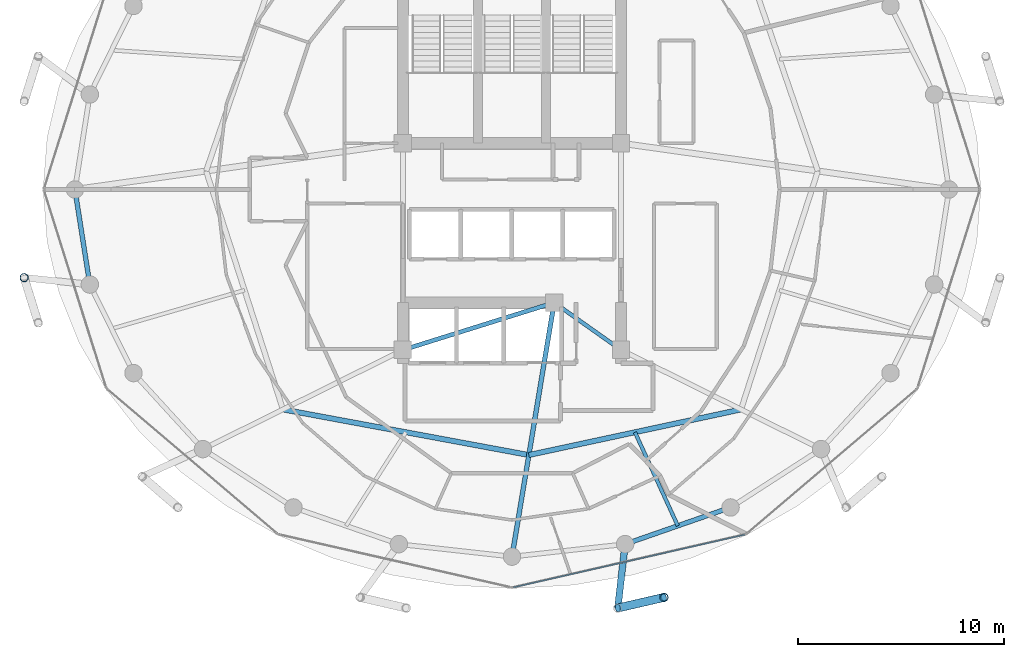
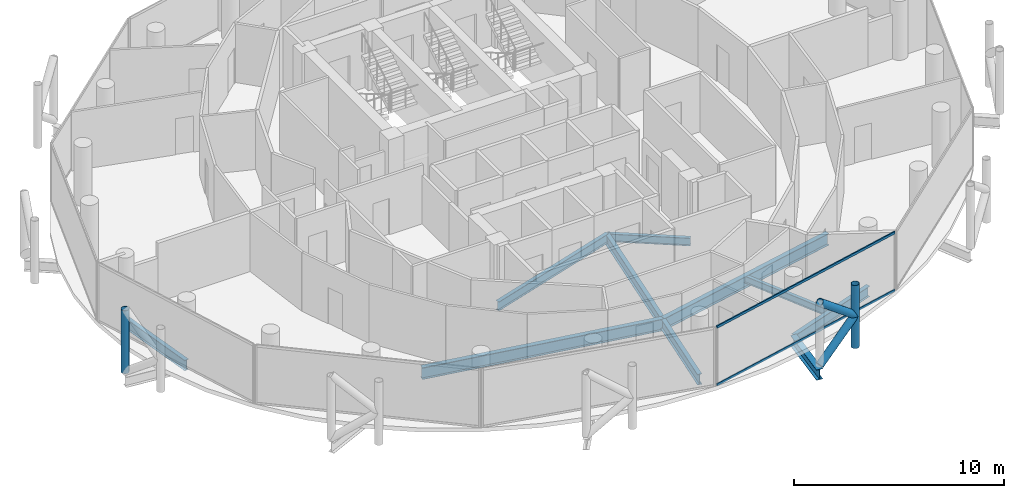
# One storey, part 6 of 27: 9 beams, 6 members, 1 element without a shape of its own.
"""IFC4 building model written with IfcOpenShell, lengths in metres."""

from ifc_helpers import new_model, si_unit, direction, frame, origin, origin_2d, place, context, subcontext, project, spatial, hollow_rectangle, hollow_circle, i_section, extrude, material, layer, layer_set, material_profile, profile_set, type_object, element, aggregate, save


model = new_model("IFC4")

# Units and contexts
model_context = context("Model", 3, precision=1e-05, world=origin(), true_north=direction((0.0, 1.0)))
body_context = subcontext(model_context, "Body", "Model", "MODEL_VIEW")
ifc_project = project(units=[si_unit("LENGTHUNIT", "METRE"), si_unit("AREAUNIT", "SQUARE_METRE"), si_unit("VOLUMEUNIT", "CUBIC_METRE"), si_unit("PLANEANGLEUNIT", "RADIAN"), si_unit("MASSUNIT", "GRAM", prefix="KILO")], contexts=[model_context])

# Site, building, storey
site_placement = place(None, origin())
site = spatial("IfcSite", under=ifc_project, at=site_placement, CompositionType="ELEMENT")
building_placement = place(site_placement, origin())
building = spatial("IfcBuilding", under=site, at=building_placement, Name="Nuhasar Tower", CompositionType="ELEMENT")
storey_placement = place(building_placement, frame((0.0, 0.0, 226.39990234375)))
storey = spatial("IfcBuildingStorey", under=building, at=storey_placement, Name="L55", CompositionType="ELEMENT", Elevation=226.39990234375)

# Beams
ifc_material_1 = material(Name="Steel S355", Category="steel")
ifc_material_profile_1 = material_profile(ifc_material_1, i_section(OverallWidth=0.25390625, OverallDepth=0.68408203125, WebThickness=0.012451171875, FlangeThickness=0.018798828125, at=origin_2d()), Name="W27X94")
ifc_profile_set_1 = profile_set([ifc_material_profile_1], Name="Steel S355")
beam_type_1 = type_object("IfcBeamType", Name="BM-INRING-W27X94", PredefinedType="BEAM", material=ifc_profile_set_1)
beam_1_placement = place(storey_placement, frame((27.864013671875, 16.10693359375, -0.581787109375), z_axis=(0.983238439987, -0.182324354193, 0.0), x_axis=(0.182324354193, 0.983238439987, 0.0)))
element("IfcBeam", 1, at=beam_1_placement, inside=storey, type_object=beam_type_1, Name="L55 Inner Header Beam 01", PredefinedType="BEAM", context=body_context, shape_type="SweptSolid", body=[
    extrude(i_section(OverallWidth=0.25390625, OverallDepth=0.68408203125, WebThickness=0.012451171875, FlangeThickness=0.018798828125, at=origin_2d()), origin(), (0.0, 0.0, 1.0), 12.159912109375),
])
beam_2_placement = place(storey_placement, frame((39.820068359375, 13.889892578125, -0.581787109375), z_axis=(0.977676275959, 0.210116870876, 0.0), x_axis=(-0.210116870876, 0.977676275959, 0.0)))
element("IfcBeam", 2, at=beam_2_placement, inside=storey, type_object=beam_type_1, Name="L55 Inner Header Beam 02", PredefinedType="BEAM", context=body_context, shape_type="SweptSolid", body=[
    extrude(i_section(OverallWidth=0.25390625, OverallDepth=0.68408203125, WebThickness=0.012451171875, FlangeThickness=0.018798828125, at=origin_2d()), origin(), (0.0, 0.0, 1.0), 10.551513671875),
])
ifc_material_profile_2 = material_profile(ifc_material_1, i_section(OverallWidth=0.177978515625, OverallDepth=0.406005859375, WebThickness=0.0078125, FlangeThickness=0.0126953125, at=origin_2d()), Name="W16X40")
ifc_profile_set_2 = profile_set([ifc_material_profile_2], Name="Steel S355")
beam_type_2 = type_object("IfcBeamType", Name="BM-JST-W16X40", PredefinedType="JOIST", material=ifc_profile_set_2)
beam_3_placement = place(storey_placement, frame((44.97802734375, 14.998046875, -0.44287109375), z_axis=(0.416562288184, -0.909107177434, 0.0), x_axis=(0.909107177434, 0.416562288184, 0.0)))
element("IfcBeam", 3, at=beam_3_placement, inside=storey, type_object=beam_type_2, Name="L55 Secondary Floor Joist 02", PredefinedType="JOIST", context=body_context, shape_type="SweptSolid", body=[
    extrude(i_section(OverallWidth=0.177978515625, OverallDepth=0.406005859375, WebThickness=0.0078125, FlangeThickness=0.0126953125, at=origin_2d()), origin(), (0.0, 0.0, 1.0), 5.0029296875),
])
ifc_material_profile_3 = material_profile(ifc_material_1, i_section(OverallWidth=0.18994140625, OverallDepth=0.45703125, WebThickness=0.009033203125, FlangeThickness=0.014404296875, at=origin_2d()), Name="W18X50")
ifc_profile_set_3 = profile_set([ifc_material_profile_3], Name="Steel S355")
beam_type_3 = type_object("IfcBeamType", Name="BM-RAD-W18X50", PredefinedType="BEAM", material=ifc_profile_set_3)
beam_4_placement = place(storey_placement, frame((41.050048828125, 21.300048828125, -0.468994140625), z_axis=(0.816265428953, -0.577677028708, 0.0), x_axis=(0.577677028708, 0.816265428953, 0.0)))
element("IfcBeam", 4, at=beam_4_placement, inside=storey, type_object=beam_type_3, Name="L55 Core Ring Girder 2", PredefinedType="BEAM", context=body_context, shape_type="SweptSolid", body=[
    extrude(i_section(OverallWidth=0.18994140625, OverallDepth=0.45703125, WebThickness=0.009033203125, FlangeThickness=0.014404296875, at=origin_2d()), origin(), (0.0, 0.0, 1.0), 3.9814453125),
])
ifc_material_profile_4 = material_profile(ifc_material_1, i_section(OverallWidth=0.208984375, OverallDepth=0.528076171875, WebThickness=0.009521484375, FlangeThickness=0.01318359375, at=origin_2d()), Name="W21X55")
ifc_profile_set_4 = profile_set([ifc_material_profile_4], Name="Steel S355")
beam_type_4 = type_object("IfcBeamType", Name="BM-RAD-W21X55", PredefinedType="BEAM", material=ifc_profile_set_4)
beam_5_placement = place(storey_placement, frame((33.699951171875, 19.0, -0.50390625), z_axis=(0.954363709454, 0.298646798205, 0.0), x_axis=(-0.298646798205, 0.954363709454, 0.0)))
element("IfcBeam", 5, at=beam_5_placement, inside=storey, type_object=beam_type_4, Name="L55 Core Ring Girder 1", PredefinedType="BEAM", context=body_context, shape_type="SweptSolid", body=[
    extrude(i_section(OverallWidth=0.208984375, OverallDepth=0.528076171875, WebThickness=0.009521484375, FlangeThickness=0.01318359375, at=origin_2d()), origin(), (0.0, 0.0, 1.0), 7.70166015625),
])
ifc_material_profile_5 = material_profile(ifc_material_1, i_section(OverallWidth=0.22900390625, OverallDepth=0.612060546875, WebThickness=0.011962890625, FlangeThickness=0.01953125, at=origin_2d()), Name="W24X84")
ifc_profile_set_5 = profile_set([ifc_material_profile_5], Name="Steel S355")
beam_type_5 = type_object("IfcBeamType", Name="BM-RAD-W24X84", PredefinedType="BEAM", material=ifc_profile_set_5)
beam_6_placement = place(storey_placement, frame((41.050048828125, 21.300048828125, -0.5458984375), z_axis=(-0.163753822517, -0.98650123447, 0.0), x_axis=(0.98650123447, -0.163753822517, 0.0)))
element("IfcBeam", 6, at=beam_6_placement, inside=storey, type_object=beam_type_5, Name="L55 Radial Floor Girder 02", PredefinedType="BEAM", context=body_context, shape_type="SweptSolid", body=[
    extrude(i_section(OverallWidth=0.22900390625, OverallDepth=0.612060546875, WebThickness=0.011962890625, FlangeThickness=0.01953125, at=origin_2d()), origin(), (0.0, 0.0, 1.0), 12.51904296875),
])
ifc_material_profile_6 = material_profile(ifc_material_1, i_section(OverallWidth=0.22802734375, OverallDepth=0.60791015625, WebThickness=0.01123046875, FlangeThickness=0.017333984375, at=origin_2d()), Name="W24X76")
ifc_profile_set_6 = profile_set([ifc_material_profile_6], Name="Steel S355")
beam_type_6 = type_object("IfcBeamType", Name="BM-RING-W24X76", PredefinedType="SPANDREL", material=ifc_profile_set_6)
beam_7_placement = place(storey_placement, frame((17.75, 26.800048828125, -0.5439453125), z_axis=(0.154841886404, -0.987939264436, 0.0), x_axis=(0.987939264436, 0.154841886404, 0.0)))
element("IfcBeam", 7, at=beam_7_placement, inside=storey, type_object=beam_type_6, Name="L55 Perimeter Ring Spandrel 13", PredefinedType="SPANDREL", context=body_context, shape_type="SweptSolid", body=[
    extrude(i_section(OverallWidth=0.22802734375, OverallDepth=0.60791015625, WebThickness=0.01123046875, FlangeThickness=0.017333984375, at=origin_2d()), origin(), (0.0, 0.0, 1.0), 4.676513671875),
])
beam_8_placement = place(storey_placement, frame((44.5, 9.55810546875, -0.5439453125), z_axis=(0.944476764686, 0.328578211342, 0.0), x_axis=(-0.328578211342, 0.944476764686, 0.0)))
element("IfcBeam", 8, at=beam_8_placement, inside=storey, type_object=beam_type_6, Name="L55 Perimeter Ring Spandrel 20", PredefinedType="SPANDREL", context=body_context, shape_type="SweptSolid", body=[
    extrude(i_section(OverallWidth=0.22802734375, OverallDepth=0.60791015625, WebThickness=0.01123046875, FlangeThickness=0.017333984375, at=origin_2d()), origin(), (0.0, 0.0, 1.0), 5.42626953125),
])
ifc_material_profile_7 = material_profile(ifc_material_1, i_section(OverallWidth=0.323974609375, OverallDepth=0.611083984375, WebThickness=0.0126953125, FlangeThickness=0.01904296875, at=origin_2d()), Name="W24X104")
ifc_profile_set_7 = profile_set([ifc_material_profile_7], Name="Steel S355")
beam_type_7 = type_object("IfcBeamType", Name="BM-TIE-W24X104", PredefinedType="BEAM", material=ifc_profile_set_7)
beam_9_placement = place(storey_placement, frame((44.5, 9.55810546875, -0.544921875), z_axis=(-0.114123371392, -0.993466585297, 0.0), x_axis=(0.993466585297, -0.114123371392, 0.0)))
element("IfcBeam", 9, at=beam_9_placement, inside=storey, type_object=beam_type_7, Name="L55 Exoskeleton Node Tie Beam 10", PredefinedType="BEAM", context=body_context, shape_type="SweptSolid", body=[
    extrude(i_section(OverallWidth=0.323974609375, OverallDepth=0.611083984375, WebThickness=0.0126953125, FlangeThickness=0.01904296875, at=origin_2d()), origin(), (0.0, 0.0, 1.0), 3.127685546875),
])

# Curtain wall, members
ifc_material_2 = material(Name="Aluminium 6063-T6", Category="aluminium")
ifc_layer = layer(ifc_material_2, 0.18994140625)
ifc_layer_set = layer_set([ifc_layer], Name="Aluminium 6063-T6")
curtain_wall_type = type_object("IfcCurtainWallType", Name="CW-Z3-RES", PredefinedType="NOTDEFINED", material=ifc_layer_set)
curtain_wall_placement = place(storey_placement, origin())
curtain_wall = element("IfcCurtainWall", 10, at=curtain_wall_placement, inside=storey, type_object=curtain_wall_type, Name="L55 Unitised Curtain Wall 10", PredefinedType="NOTDEFINED")
ifc_material_profile_8 = material_profile(ifc_material_2, hollow_rectangle(XDim=0.06494140625, YDim=0.139892578125, WallThickness=0.00439453125, at=origin_2d()), Name="CWT-4")
ifc_profile_set_8 = profile_set([ifc_material_profile_8], Name="Aluminium 6063-T6")
member_type_1 = type_object("IfcMemberType", Name="CW-TRN-S4", PredefinedType="USERDEFINED", material=ifc_profile_set_8)
member_1_placement = place(storey_placement, frame((39.0634765625, 7.454345703125, 0.03271484375), z_axis=(0.974989487479, 0.222250982686, 0.0), x_axis=(-0.222250982686, 0.974989487479, 0.0)))
member_1 = element("IfcMember", 11, at=member_1_placement, type_object=member_type_1, Name="CW-Z3 transom 1.1", ObjectType="TRANSOM", PredefinedType="USERDEFINED", context=body_context, shape_type="SweptSolid", body=[
    extrude(hollow_rectangle(XDim=0.06494140625, YDim=0.139892578125, WallThickness=0.00439453125, at=origin_2d()), origin(), (0.0, 0.0, 1.0), 11.541748046875),
])
member_2_placement = place(storey_placement, frame((39.0634765625, 7.454345703125, 3.377685546875), z_axis=(0.974989487479, 0.222250982686, 0.0), x_axis=(-0.222250982686, 0.974989487479, 0.0)))
member_2 = element("IfcMember", 12, at=member_2_placement, type_object=member_type_1, Name="CW-Z3 transom 1.2", ObjectType="TRANSOM", PredefinedType="USERDEFINED", context=body_context, shape_type="SweptSolid", body=[
    extrude(hollow_rectangle(XDim=0.06494140625, YDim=0.139892578125, WallThickness=0.00439453125, at=origin_2d()), origin(), (0.0, 0.0, 1.0), 11.541748046875),
])
aggregate(curtain_wall, [member_1, member_2])

# Members
ifc_material_3 = material(Name="Steel S460", Category="steel")
ifc_material_profile_9 = material_profile(ifc_material_3, hollow_circle(Radius=0.203125, WallThickness=0.01904296875, at=origin_2d()), Name="HSS406.4X19.1")
ifc_profile_set_9 = profile_set([ifc_material_profile_9], Name="Steel S460")
member_type_2 = type_object("IfcMemberType", Name="EXO-BRONZE-406", PredefinedType="BRACE", material=ifc_profile_set_9)
for number, where, z_axis, x_axis, name in (
    (13, (15.281982421875, 22.513916015625, 0.0), (0.0, 0.0, 1.0), (1.0, 0.0, 0.0), "L55 Exoskeleton Chord Column EC-07A"),
    (14, (46.384033203125, 6.967041015625, 0.0), (0.0, 0.0, 1.0), (1.0, 0.0, 0.0), "L55 Exoskeleton Chord Column EC-10B"),
):
    element("IfcMember", number, at=place(storey_placement, frame(where, z_axis=z_axis, x_axis=x_axis)), inside=storey, type_object=member_type_2, Name=name, PredefinedType="BRACE", context=body_context, shape_type="SweptSolid", body=[
        extrude(hollow_circle(Radius=0.203125, WallThickness=0.01904296875, at=origin_2d()), origin(), (0.0, 0.0, 1.0), 3.650146484375),
    ])
member_3_placement = place(storey_placement, frame((44.14306640625, 6.450927734375, 0.0), z_axis=(0.763292124721, 0.175792521153, 0.621676862884), x_axis=(-0.224433035437, 0.97448951385, 0.0)))
element("IfcMember", 15, at=member_3_placement, inside=storey, type_object=member_type_2, Name="L55 Bronze Diagrid Brace W1-10", PredefinedType="BRACE", context=body_context, shape_type="SweptSolid", body=[
    extrude(hollow_circle(Radius=0.203125, WallThickness=0.01904296875, at=origin_2d()), origin(), (0.0, 0.0, 1.0), 2.93603515625),
])
member_4_placement = place(storey_placement, frame((46.384033203125, 6.967041015625, 1.8251953125), z_axis=(-0.76333158458, -0.175801609086, 0.621625841021), x_axis=(0.224433035437, -0.97448951385, 0.0)))
element("IfcMember", 16, at=member_4_placement, inside=storey, type_object=member_type_2, Name="L55 Bronze Diagrid Brace W2-10", PredefinedType="BRACE", context=body_context, shape_type="SweptSolid", body=[
    extrude(hollow_circle(Radius=0.203125, WallThickness=0.01904296875, at=origin_2d()), origin(), (0.0, 0.0, 1.0), 2.935791015625),
])

save(model, "model.ifc")
